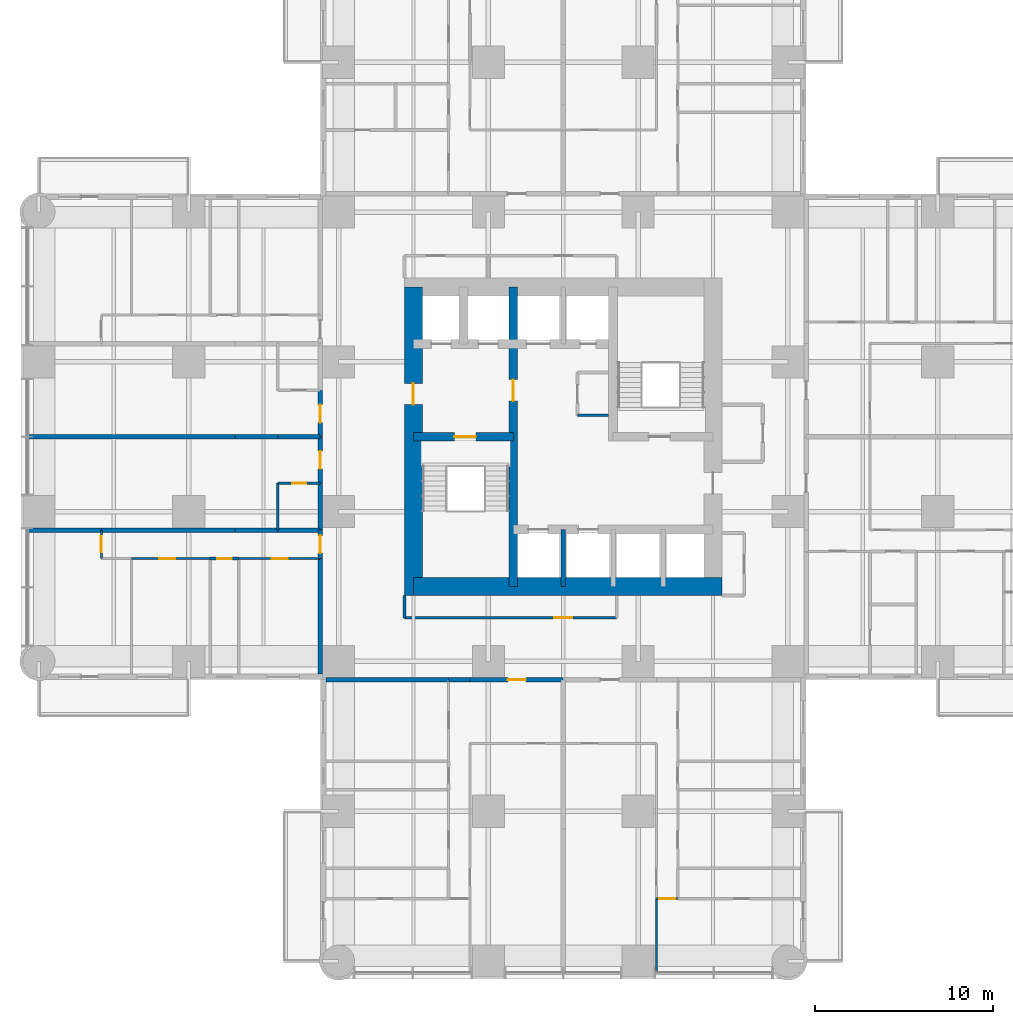
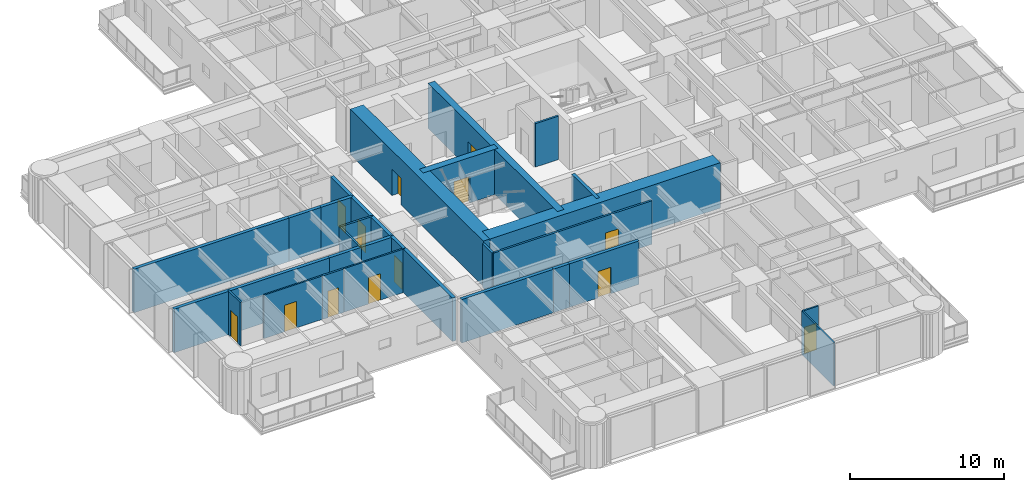
# One storey, part 8 of 17: 31 walls, 14 doors, 14 openings.
"""IFC4 building model written with IfcOpenShell, lengths in metres."""

from ifc_helpers import new_model, si_unit, direction, frame, frame_2d, origin, place, context, subcontext, project, spatial, rectangle, extrude, material, layer, layer_set, type_object, element, fill, save


model = new_model("IFC4")

# Units and contexts
model_context = context("Model", 3, precision=1e-05, world=origin(), true_north=direction((0.0, 1.0)))
body_context = subcontext(model_context, "Body", "Model", "MODEL_VIEW")
ifc_project = project(units=[si_unit("LENGTHUNIT", "METRE"), si_unit("AREAUNIT", "SQUARE_METRE"), si_unit("VOLUMEUNIT", "CUBIC_METRE"), si_unit("PLANEANGLEUNIT", "RADIAN"), si_unit("MASSUNIT", "GRAM", prefix="KILO")], contexts=[model_context])

# Site, building, storey
site_placement = place(None, origin())
site = spatial("IfcSite", under=ifc_project, at=site_placement, CompositionType="ELEMENT")
building_placement = place(site_placement, origin())
building = spatial("IfcBuilding", under=site, at=building_placement, Name="Torre Alcanfor", CompositionType="ELEMENT")
storey_placement = place(building_placement, frame((0.0, 0.0, 74.10009765625)))
storey = spatial("IfcBuildingStorey", under=building, at=storey_placement, Name="L18", CompositionType="ELEMENT", Elevation=74.10009765625)

# Wall, opening, door
ifc_material_1 = material(Name="Concrete block masonry, hollow blocks NMX-C-404 9 MPa", Category="masonry")
ifc_layer_1 = layer(ifc_material_1, 0.25)
ifc_layer_set_1 = layer_set([ifc_layer_1], Name="Apartment entrance wall 250 EI 60")
wall_type_1 = type_object("IfcWallType", Name="Apartment entrance wall 250 EI 60", PredefinedType="PARTITIONING", material=ifc_layer_set_1)
wall_1_placement = place(storey_placement, frame((29.39990234375, 15.77490234375, 0.0), z_axis=(0.0, 0.0, 1.0), x_axis=(-1.0, 0.0, 0.0)))
wall_1 = element("IfcWall", 1, at=wall_1_placement, inside=storey, type_object=wall_type_1, Name="Partition L18-CORR / L18-S2-ZAG", PredefinedType="PARTITIONING", context=body_context, shape_type="SweptSolid", body=[
    extrude(rectangle(XDim=5.22900390625, YDim=0.25, at=frame_2d((2.614501953125, 0.0))), origin(), (0.0, 0.0, 1.0), 3.449951171875),
])
opening_1_placement = place(wall_1_placement, frame((2.10009765625, 0.0, 0.0)))
opening_1 = element("IfcOpeningElement", 2, at=opening_1_placement, cuts=wall_1, Name="Opening D-A1", PredefinedType="OPENING", context=body_context, shape_type="SweptSolid", body=[
    extrude(rectangle(XDim=1.0, YDim=2.10009765625, at=frame_2d((0.5, 1.050048828125))), frame((0.0, 0.135009765625, 0.0), z_axis=(0.0, -1.0, 0.0), x_axis=(1.0, 0.0, 0.0)), (0.0, 0.0, 1.0), 0.27001953125),
])
ifc_material_2 = material(Name="Galvanised steel sheet ASTM A653", Category="steel")
door_type_1 = type_object("IfcDoorType", Name="Apartment entrance door FD60 1000x2100", OperationType="SINGLE_SWING_LEFT", PredefinedType="DOOR", material=ifc_material_2)
door_1_placement = place(opening_1_placement, origin())
door_1 = element("IfcDoor", 3, at=door_1_placement, inside=storey, type_object=door_type_1, Name="Apartment entrance L18-S2", OperationType="SINGLE_SWING_LEFT", OverallHeight=2.10009765625, OverallWidth=1.0, PredefinedType="DOOR", context=body_context, shape_type="SweptSolid", body=[
    extrude(rectangle(XDim=1.0, YDim=2.10009765625, at=frame_2d((0.5, 1.050048828125))), frame((0.0, 0.02490234375, 0.0), z_axis=(0.0, -1.0, 0.0), x_axis=(1.0, 0.0, 0.0)), (0.0, 0.0, 1.0), 0.050048828125),
])
fill(opening_1, door_1)

# Walls
wall_2_placement = place(storey_placement, frame((24.1708984375, 15.77490234375, 0.0), z_axis=(0.0, 0.0, 1.0), x_axis=(-1.0, 0.0, 0.0)))
element("IfcWall", 4, at=wall_2_placement, inside=storey, type_object=wall_type_1, Name="Partition L18-CORR / L18-S2-HALL", PredefinedType="PARTITIONING", context=body_context, shape_type="SweptSolid", body=[
    extrude(rectangle(XDim=1.199951171875, YDim=0.25, at=frame_2d((0.60009765625, 0.0))), origin(), (0.0, 0.0, 1.0), 3.449951171875),
])
wall_3_placement = place(storey_placement, frame((22.970947265625, 15.77490234375, 0.0), z_axis=(0.0, 0.0, 1.0), x_axis=(-1.0, 0.0, 0.0)))
element("IfcWall", 5, at=wall_3_placement, inside=storey, type_object=wall_type_1, Name="Partition L18-CORR / L18-S2-BED3", PredefinedType="PARTITIONING", context=body_context, shape_type="SweptSolid", body=[
    extrude(rectangle(XDim=6.870849609375, YDim=0.25, at=frame_2d((3.435546875, 0.0))), origin(), (0.0, 0.0, 1.0), 3.449951171875),
])

# Wall, opening, door
wall_4_placement = place(storey_placement, frame((15.77490234375, 26.800048828125, 0.0), z_axis=(0.0, 0.0, 1.0), x_axis=(0.0, 1.0, 0.0)))
wall_4 = element("IfcWall", 6, at=wall_4_placement, inside=storey, type_object=wall_type_1, Name="Partition L18-CORR / L18-W1A-FOYER", PredefinedType="PARTITIONING", context=body_context, shape_type="SweptSolid", body=[
    extrude(rectangle(XDim=2.599853515625, YDim=0.25, at=frame_2d((1.2998046875, 0.0))), origin(), (0.0, 0.0, 1.0), 3.449951171875),
])
opening_2_placement = place(wall_4_placement, frame((0.800048828125, 0.0, 0.0)))
opening_2 = element("IfcOpeningElement", 7, at=opening_2_placement, cuts=wall_4, Name="Opening D-A1", PredefinedType="OPENING", context=body_context, shape_type="SweptSolid", body=[
    extrude(rectangle(XDim=1.0, YDim=2.10009765625, at=frame_2d((0.5, 1.050048828125))), frame((0.0, 0.135009765625, 0.0), z_axis=(0.0, -1.0, 0.0), x_axis=(1.0, 0.0, 0.0)), (0.0, 0.0, 1.0), 0.27001953125),
])
door_2_placement = place(opening_2_placement, origin())
door_2 = element("IfcDoor", 8, at=door_2_placement, inside=storey, type_object=door_type_1, Name="Apartment entrance L18-W1A", OperationType="SINGLE_SWING_LEFT", OverallHeight=2.10009765625, OverallWidth=1.0, PredefinedType="DOOR", context=body_context, shape_type="SweptSolid", body=[
    extrude(rectangle(XDim=1.0, YDim=2.10009765625, at=frame_2d((0.5, 1.050048828125))), frame((0.0, 0.02490234375, 0.0), z_axis=(0.0, -1.0, 0.0), x_axis=(1.0, 0.0, 0.0)), (0.0, 0.0, 1.0), 0.050048828125),
])
fill(opening_2, door_2)

# Wall
wall_5_placement = place(storey_placement, frame((15.77490234375, 24.1708984375, 0.0), z_axis=(0.0, 0.0, 1.0), x_axis=(0.0, 1.0, 0.0)))
element("IfcWall", 9, at=wall_5_placement, inside=storey, type_object=wall_type_1, Name="Partition L18-CORR / L18-W1A-BATH", PredefinedType="PARTITIONING", context=body_context, shape_type="SweptSolid", body=[
    extrude(rectangle(XDim=2.629150390625, YDim=0.25, at=frame_2d((1.314453125, 0.0))), origin(), (0.0, 0.0, 1.0), 3.449951171875),
])

# Wall, opening, door
wall_6_placement = place(storey_placement, frame((15.77490234375, 22.571044921875, 0.0), z_axis=(0.0, 0.0, 1.0), x_axis=(0.0, 1.0, 0.0)))
wall_6 = element("IfcWall", 10, at=wall_6_placement, inside=storey, type_object=wall_type_1, Name="Partition L18-CORR / L18-W1B-HALL", PredefinedType="PARTITIONING", context=body_context, shape_type="SweptSolid", body=[
    extrude(rectangle(XDim=1.599853515625, YDim=0.25, at=frame_2d((0.7998046875, 0.0))), origin(), (0.0, 0.0, 1.0), 3.449951171875),
])
opening_3_placement = place(wall_6_placement, frame((0.300048828125, 0.0, 0.0)))
opening_3 = element("IfcOpeningElement", 11, at=opening_3_placement, cuts=wall_6, Name="Opening D-A1", PredefinedType="OPENING", context=body_context, shape_type="SweptSolid", body=[
    extrude(rectangle(XDim=1.0, YDim=2.10009765625, at=frame_2d((0.5, 1.050048828125))), frame((0.0, 0.135009765625, 0.0), z_axis=(0.0, -1.0, 0.0), x_axis=(1.0, 0.0, 0.0)), (0.0, 0.0, 1.0), 0.27001953125),
])
door_3_placement = place(opening_3_placement, origin())
door_3 = element("IfcDoor", 12, at=door_3_placement, inside=storey, type_object=door_type_1, Name="Apartment entrance L18-W1B", OperationType="SINGLE_SWING_LEFT", OverallHeight=2.10009765625, OverallWidth=1.0, PredefinedType="DOOR", context=body_context, shape_type="SweptSolid", body=[
    extrude(rectangle(XDim=1.0, YDim=2.10009765625, at=frame_2d((0.5, 1.050048828125))), frame((0.0, 0.02490234375, 0.0), z_axis=(0.0, -1.0, 0.0), x_axis=(1.0, 0.0, 0.0)), (0.0, 0.0, 1.0), 0.050048828125),
])
fill(opening_3, door_3)

# Wall
wall_7_placement = place(storey_placement, frame((15.77490234375, 16.10009765625, 0.0), z_axis=(0.0, 0.0, 1.0), x_axis=(0.0, 1.0, 0.0)))
element("IfcWall", 13, at=wall_7_placement, inside=storey, type_object=wall_type_1, Name="Partition L18-CORR / L18-W1B-MASTER", PredefinedType="PARTITIONING", context=body_context, shape_type="SweptSolid", body=[
    extrude(rectangle(XDim=6.470947265625, YDim=0.25, at=frame_2d((3.2353515625, 0.0))), origin(), (0.0, 0.0, 1.0), 3.449951171875),
])

# Wall, opening, door
wall_8_placement = place(storey_placement, frame((15.77490234375, 29.39990234375, 0.0), z_axis=(0.0, 0.0, 1.0), x_axis=(0.0, 1.0, 0.0)))
wall_8 = element("IfcWall", 14, at=wall_8_placement, inside=storey, type_object=wall_type_1, Name="Partition L18-CORR / L18-W2A-FOYER", PredefinedType="PARTITIONING", context=body_context, shape_type="SweptSolid", body=[
    extrude(rectangle(XDim=2.60009765625, YDim=0.25, at=frame_2d((1.300048828125, 0.0))), origin(), (0.0, 0.0, 1.0), 3.449951171875),
])
opening_4_placement = place(wall_8_placement, frame((0.800048828125, 0.0, 0.0)))
opening_4 = element("IfcOpeningElement", 15, at=opening_4_placement, cuts=wall_8, Name="Opening D-A1", PredefinedType="OPENING", context=body_context, shape_type="SweptSolid", body=[
    extrude(rectangle(XDim=1.0, YDim=2.10009765625, at=frame_2d((0.5, 1.050048828125))), frame((0.0, 0.135009765625, 0.0), z_axis=(0.0, -1.0, 0.0), x_axis=(1.0, 0.0, 0.0)), (0.0, 0.0, 1.0), 0.27001953125),
])
door_4_placement = place(opening_4_placement, origin())
door_4 = element("IfcDoor", 16, at=door_4_placement, inside=storey, type_object=door_type_1, Name="Apartment entrance L18-W2A", OperationType="SINGLE_SWING_LEFT", OverallHeight=2.10009765625, OverallWidth=1.0, PredefinedType="DOOR", context=body_context, shape_type="SweptSolid", body=[
    extrude(rectangle(XDim=1.0, YDim=2.10009765625, at=frame_2d((0.5, 1.050048828125))), frame((0.0, 0.02490234375, 0.0), z_axis=(0.0, -1.0, 0.0), x_axis=(1.0, 0.0, 0.0)), (0.0, 0.0, 1.0), 0.050048828125),
])
fill(opening_4, door_4)

# Wall
ifc_material_3 = material(Name="Gypsum board on steel studs", Category="steel")
ifc_layer_2 = layer(ifc_material_3, 0.1201171875)
ifc_layer_set_2 = layer_set([ifc_layer_2], Name="Apartment partition 120")
wall_type_2 = type_object("IfcWallType", Name="Apartment partition 120", PredefinedType="PARTITIONING", material=ifc_layer_set_2)
wall_9_placement = place(storey_placement, frame((34.62890625, -0.64990234375, 0.0), z_axis=(0.0, 0.0, 1.0), x_axis=(0.0, 1.0, 0.0)))
element("IfcWall", 17, at=wall_9_placement, inside=storey, type_object=wall_type_2, Name="Partition L18-S1-LIVING / L18-S1-MASTER", PredefinedType="PARTITIONING", context=body_context, shape_type="SweptSolid", body=[
    extrude(rectangle(XDim=4.14990234375, YDim=0.1201171875, at=frame_2d((2.074951171875, 0.0))), origin(), (0.0, 0.0, 1.0), 3.449951171875),
])

# Wall, opening, door
wall_10_placement = place(storey_placement, frame((34.62890625, 3.5, 0.0), z_axis=(0.0, 0.0, 1.0), x_axis=(1.0, 0.0, 0.0)))
wall_10 = element("IfcWall", 18, at=wall_10_placement, inside=storey, type_object=wall_type_2, Name="Partition L18-S1-HALL / L18-S1-MASTER", PredefinedType="PARTITIONING", context=body_context, shape_type="SweptSolid", body=[
    extrude(rectangle(XDim=1.2001953125, YDim=0.1201171875, at=frame_2d((0.60009765625, 0.0))), origin(), (0.0, 0.0, 1.0), 3.449951171875),
])
opening_5_placement = place(wall_10_placement, frame((0.15087890625, 0.0, 0.0)))
opening_5 = element("IfcOpeningElement", 19, at=opening_5_placement, cuts=wall_10, Name="Opening D-R1", PredefinedType="OPENING", context=body_context, shape_type="SweptSolid", body=[
    extrude(rectangle(XDim=0.89990234375, YDim=2.10009765625, at=frame_2d((0.449951171875, 1.050048828125))), frame((0.0, 0.070068359375, 0.0), z_axis=(0.0, -1.0, 0.0), x_axis=(1.0, 0.0, 0.0)), (0.0, 0.0, 1.0), 0.14013671875),
])
ifc_material_4 = material(Name="Timber", Category="wood")
door_type_2 = type_object("IfcDoorType", Name="Internal door 900x2100", OperationType="SINGLE_SWING_LEFT", PredefinedType="DOOR", material=ifc_material_4)
door_5_placement = place(opening_5_placement, frame((0.89990234375, 0.0, 0.0), z_axis=(0.0, 0.0, 1.0), x_axis=(-1.0, 0.0, 0.0)))
door_5 = element("IfcDoor", 20, at=door_5_placement, inside=storey, type_object=door_type_2, Name="Door L18-S1 master", OperationType="SINGLE_SWING_RIGHT", OverallHeight=2.10009765625, OverallWidth=0.89990234375, PredefinedType="DOOR", context=body_context, shape_type="SweptSolid", body=[
    extrude(rectangle(XDim=0.89990234375, YDim=2.10009765625, at=frame_2d((0.449951171875, 1.050048828125))), frame((0.0, 0.025146484375, 0.0), z_axis=(0.0, -1.0, 0.0), x_axis=(1.0, 0.0, 0.0)), (0.0, 0.0, 1.0), 0.050048828125),
])
fill(opening_5, door_5)

wall_11_placement = place(storey_placement, frame((11.199951171875, 22.571044921875, 0.0), z_axis=(0.0, 0.0, 1.0), x_axis=(1.0, 0.0, 0.0)))
wall_11 = element("IfcWall", 21, at=wall_11_placement, inside=storey, type_object=wall_type_2, Name="Partition L18-W1B-HALL / L18-W1B-MASTER", PredefinedType="PARTITIONING", context=body_context, shape_type="SweptSolid", body=[
    extrude(rectangle(XDim=4.574951171875, YDim=0.1201171875, at=frame_2d((2.28759765625, 0.0))), origin(), (0.0, 0.0, 1.0), 3.449951171875),
])
opening_6_placement = place(wall_11_placement, frame((1.85009765625, 0.0, 0.0)))
opening_6 = element("IfcOpeningElement", 22, at=opening_6_placement, cuts=wall_11, Name="Opening D-R1", PredefinedType="OPENING", context=body_context, shape_type="SweptSolid", body=[
    extrude(rectangle(XDim=0.89990234375, YDim=2.10009765625, at=frame_2d((0.449951171875, 1.050048828125))), frame((0.0, 0.070068359375, 0.0), z_axis=(0.0, -1.0, 0.0), x_axis=(1.0, 0.0, 0.0)), (0.0, 0.0, 1.0), 0.14013671875),
])
door_6_placement = place(opening_6_placement, frame((0.89990234375, 0.0, 0.0), z_axis=(0.0, 0.0, 1.0), x_axis=(-1.0, 0.0, 0.0)))
door_6 = element("IfcDoor", 23, at=door_6_placement, inside=storey, type_object=door_type_2, Name="Door L18-W1B master", OperationType="SINGLE_SWING_LEFT", OverallHeight=2.10009765625, OverallWidth=0.89990234375, PredefinedType="DOOR", context=body_context, shape_type="SweptSolid", body=[
    extrude(rectangle(XDim=0.89990234375, YDim=2.10009765625, at=frame_2d((0.449951171875, 1.050048828125))), frame((0.0, 0.025146484375, 0.0), z_axis=(0.0, -1.0, 0.0), x_axis=(1.0, 0.0, 0.0)), (0.0, 0.0, 1.0), 0.050048828125),
])
fill(opening_6, door_6)

wall_12_placement = place(storey_placement, frame((5.199951171875, 22.571044921875, 0.0), z_axis=(0.0, 0.0, 1.0), x_axis=(1.0, 0.0, 0.0)))
wall_12 = element("IfcWall", 24, at=wall_12_placement, inside=storey, type_object=wall_type_2, Name="Partition L18-W1B-HALL / L18-W1B-STUDY", PredefinedType="PARTITIONING", context=body_context, shape_type="SweptSolid", body=[
    extrude(rectangle(XDim=4.400146484375, YDim=0.1201171875, at=frame_2d((2.2001953125, 0.0))), origin(), (0.0, 0.0, 1.0), 3.449951171875),
])
opening_7_placement = place(wall_12_placement, frame((1.550048828125, 0.0, 0.0)))
opening_7 = element("IfcOpeningElement", 25, at=opening_7_placement, cuts=wall_12, Name="Opening D-R1", PredefinedType="OPENING", context=body_context, shape_type="SweptSolid", body=[
    extrude(rectangle(XDim=0.89990234375, YDim=2.10009765625, at=frame_2d((0.449951171875, 1.050048828125))), frame((0.0, 0.070068359375, 0.0), z_axis=(0.0, -1.0, 0.0), x_axis=(1.0, 0.0, 0.0)), (0.0, 0.0, 1.0), 0.14013671875),
])
door_7_placement = place(opening_7_placement, frame((0.89990234375, 0.0, 0.0), z_axis=(0.0, 0.0, 1.0), x_axis=(-1.0, 0.0, 0.0)))
door_7 = element("IfcDoor", 26, at=door_7_placement, inside=storey, type_object=door_type_2, Name="Door L18-W1B study", OperationType="SINGLE_SWING_RIGHT", OverallHeight=2.10009765625, OverallWidth=0.89990234375, PredefinedType="DOOR", context=body_context, shape_type="SweptSolid", body=[
    extrude(rectangle(XDim=0.89990234375, YDim=2.10009765625, at=frame_2d((0.449951171875, 1.050048828125))), frame((0.0, 0.025146484375, 0.0), z_axis=(0.0, -1.0, 0.0), x_axis=(1.0, 0.0, 0.0)), (0.0, 0.0, 1.0), 0.050048828125),
])
fill(opening_7, door_7)

wall_13_placement = place(storey_placement, frame((3.5, 24.1708984375, 0.0), z_axis=(0.0, 0.0, 1.0), x_axis=(0.0, -1.0, 0.0)))
wall_13 = element("IfcWall", 27, at=wall_13_placement, inside=storey, type_object=wall_type_2, Name="Partition L18-W1B-HALL / L18-W1B-LIVING", PredefinedType="PARTITIONING", context=body_context, shape_type="SweptSolid", body=[
    extrude(rectangle(XDim=1.599853515625, YDim=0.1201171875, at=frame_2d((0.7998046875, 0.0))), origin(), (0.0, 0.0, 1.0), 3.449951171875),
])
opening_8_placement = place(wall_13_placement, frame((0.35009765625, 0.0, 0.0)))
opening_8 = element("IfcOpeningElement", 28, at=opening_8_placement, cuts=wall_13, Name="Opening D-R1", PredefinedType="OPENING", context=body_context, shape_type="SweptSolid", body=[
    extrude(rectangle(XDim=0.89990234375, YDim=2.10009765625, at=frame_2d((0.449951171875, 1.050048828125))), frame((0.0, 0.070068359375, 0.0), z_axis=(0.0, -1.0, 0.0), x_axis=(1.0, 0.0, 0.0)), (0.0, 0.0, 1.0), 0.14013671875),
])
door_8_placement = place(opening_8_placement, frame((0.89990234375, 0.0, 0.0), z_axis=(0.0, 0.0, 1.0), x_axis=(-1.0, 0.0, 0.0)))
door_8 = element("IfcDoor", 29, at=door_8_placement, inside=storey, type_object=door_type_2, Name="Door L18-W1B living", OperationType="SINGLE_SWING_RIGHT", OverallHeight=2.10009765625, OverallWidth=0.89990234375, PredefinedType="DOOR", context=body_context, shape_type="SweptSolid", body=[
    extrude(rectangle(XDim=0.89990234375, YDim=2.10009765625, at=frame_2d((0.449951171875, 1.050048828125))), frame((0.0, 0.025146484375, 0.0), z_axis=(0.0, -1.0, 0.0), x_axis=(1.0, 0.0, 0.0)), (0.0, 0.0, 1.0), 0.050048828125),
])
fill(opening_8, door_8)

ifc_material_5 = material(Name="Concrete f'c 70 MPa", Category="concrete")
ifc_layer_3 = layer(ifc_material_5, 0.5)
ifc_layer_set_3 = layer_set([ifc_layer_3], Name="Core inner wall 500 f'c70")
wall_type_3 = type_object("IfcWallType", Name="Core inner wall 500 f'c70", PredefinedType="SHEAR", material=ifc_layer_set_3)
wall_14_placement = place(storey_placement, frame((26.60009765625, 21.0, 0.0), z_axis=(0.0, 0.0, 1.0), x_axis=(0.0, 1.0, 0.0)))
wall_14 = element("IfcWall", 30, at=wall_14_placement, inside=storey, type_object=wall_type_3, Name="Core wall X266 L18", PredefinedType="SHEAR", context=body_context, shape_type="SweptSolid", body=[
    extrude(rectangle(XDim=16.800048828125, YDim=0.5, at=frame_2d((8.39990234375, 0.0))), origin(), (0.0, 0.0, 1.0), 3.599853515625),
])
opening_9_placement = place(wall_14_placement, frame((10.39990234375, 0.0, 0.0)))
opening_9 = element("IfcOpeningElement", 31, at=opening_9_placement, cuts=wall_14, Name="Opening D-L1", PredefinedType="OPENING", context=body_context, shape_type="SweptSolid", body=[
    extrude(rectangle(XDim=1.199951171875, YDim=2.10009765625, at=frame_2d((0.60009765625, 1.050048828125))), frame((0.0, 0.260009765625, 0.0), z_axis=(0.0, -1.0, 0.0), x_axis=(1.0, 0.0, 0.0)), (0.0, 0.0, 1.0), 0.52001953125),
])
ifc_material_6 = material(Name="Galvanised steel sheet ASTM A653", Category="steel")
door_type_3 = type_object("IfcDoorType", Name="Lobby door FD120 1200x2100", OperationType="SINGLE_SWING_LEFT", PredefinedType="DOOR", material=ifc_material_6)
door_9_placement = place(opening_9_placement, origin())
door_9 = element("IfcDoor", 32, at=door_9_placement, inside=storey, type_object=door_type_3, Name="Lift lobby door L18", OperationType="SINGLE_SWING_LEFT", OverallHeight=2.10009765625, OverallWidth=1.199951171875, PredefinedType="DOOR", context=body_context, shape_type="SweptSolid", body=[
    extrude(rectangle(XDim=1.199951171875, YDim=2.10009765625, at=frame_2d((0.60009765625, 1.050048828125))), frame((0.0, 0.02490234375, 0.0), z_axis=(0.0, -1.0, 0.0), x_axis=(1.0, 0.0, 0.0)), (0.0, 0.0, 1.0), 0.050048828125),
])
fill(opening_9, door_9)

wall_15_placement = place(storey_placement, frame((21.0, 29.39990234375, 0.0), z_axis=(0.0, 0.0, 1.0), x_axis=(1.0, 0.0, 0.0)))
wall_15 = element("IfcWall", 33, at=wall_15_placement, inside=storey, type_object=wall_type_3, Name="Core wall Y294W L18", PredefinedType="SHEAR", context=body_context, shape_type="SweptSolid", body=[
    extrude(rectangle(XDim=5.60009765625, YDim=0.5, at=frame_2d((2.800048828125, 0.0))), origin(), (0.0, 0.0, 1.0), 3.599853515625),
])
opening_10_placement = place(wall_15_placement, frame((2.300048828125, 0.0, 0.0)))
opening_10 = element("IfcOpeningElement", 34, at=opening_10_placement, cuts=wall_15, Name="Opening D-S2", PredefinedType="OPENING", context=body_context, shape_type="SweptSolid", body=[
    extrude(rectangle(XDim=1.199951171875, YDim=2.10009765625, at=frame_2d((0.60009765625, 1.050048828125))), frame((0.0, 0.260009765625, 0.0), z_axis=(0.0, -1.0, 0.0), x_axis=(1.0, 0.0, 0.0)), (0.0, 0.0, 1.0), 0.52001953125),
])
ifc_material_7 = material(Name="Galvanised steel sheet ASTM A653", Category="steel")
door_type_4 = type_object("IfcDoorType", Name="Stair enclosure door FD120 1200x2100", OperationType="SINGLE_SWING_LEFT", PredefinedType="DOOR", material=ifc_material_7)
door_10_placement = place(opening_10_placement, frame((1.199951171875, 0.0, 0.0), z_axis=(0.0, 0.0, 1.0), x_axis=(-1.0, 0.0, 0.0)))
door_10 = element("IfcDoor", 35, at=door_10_placement, inside=storey, type_object=door_type_4, Name="Stair S1 door L18", OperationType="SINGLE_SWING_LEFT", OverallHeight=2.10009765625, OverallWidth=1.199951171875, PredefinedType="DOOR", context=body_context, shape_type="SweptSolid", body=[
    extrude(rectangle(XDim=1.199951171875, YDim=2.10009765625, at=frame_2d((0.599853515625, 1.050048828125))), frame((0.0, 0.025146484375, 0.0), z_axis=(0.0, -1.0, 0.0), x_axis=(1.0, 0.0, 0.0)), (0.0, 0.0, 1.0), 0.050048828125),
])
fill(opening_10, door_10)

# Walls
ifc_material_8 = material(Name="Concrete f'c 70 MPa", Category="concrete")
ifc_layer_4 = layer(ifc_material_8, 0.25)
ifc_layer_set_4 = layer_set([ifc_layer_4], Name="Core shaft wall 250 f'c70")
wall_type_4 = type_object("IfcWallType", Name="Core shaft wall 250 f'c70", PredefinedType="SHEAR", material=ifc_layer_set_4)
wall_16_placement = place(storey_placement, frame((29.39990234375, 21.0, 0.0), z_axis=(0.0, 0.0, 1.0), x_axis=(0.0, 1.0, 0.0)))
element("IfcWall", 36, at=wall_16_placement, inside=storey, type_object=wall_type_4, Name="Core wall X294S L18", PredefinedType="SHEAR", context=body_context, shape_type="SweptSolid", body=[
    extrude(rectangle(XDim=3.199951171875, YDim=0.25, at=frame_2d((1.60009765625, 0.0))), origin(), (0.0, 0.0, 1.0), 3.599853515625),
])
ifc_material_9 = material(Name="Concrete f'c 70 MPa", Category="concrete")
ifc_layer_5 = layer(ifc_material_9, 1.0)
ifc_layer_set_5 = layer_set([ifc_layer_5], Name="Core wall 1000 f'c70")
wall_type_5 = type_object("IfcWallType", Name="Core wall 1000 f'c70", PredefinedType="SHEAR", material=ifc_layer_set_5)
wall_17_placement = place(storey_placement, frame((21.0, 21.0, 0.0), z_axis=(0.0, 0.0, 1.0), x_axis=(1.0, 0.0, 0.0)))
element("IfcWall", 37, at=wall_17_placement, inside=storey, type_object=wall_type_5, Name="Core wall OUT-S L18", PredefinedType="SHEAR", context=body_context, shape_type="SweptSolid", body=[
    extrude(rectangle(XDim=17.300048828125, YDim=1.0, at=frame_2d((8.64990234375, 0.0))), origin(), (0.0, 0.0, 1.0), 3.599853515625),
])

# Wall, opening, door
wall_18_placement = place(storey_placement, frame((21.0, 37.800048828125, 0.0), z_axis=(0.0, 0.0, 1.0), x_axis=(0.0, -1.0, 0.0)))
wall_18 = element("IfcWall", 38, at=wall_18_placement, inside=storey, type_object=wall_type_5, Name="Core wall OUT-W L18", PredefinedType="SHEAR", context=body_context, shape_type="SweptSolid", body=[
    extrude(rectangle(XDim=17.300048828125, YDim=1.0, at=frame_2d((8.64990234375, 0.0))), origin(), (0.0, 0.0, 1.0), 3.599853515625),
])
opening_11_placement = place(wall_18_placement, frame((5.39990234375, 0.0, 0.0)))
opening_11 = element("IfcOpeningElement", 39, at=opening_11_placement, cuts=wall_18, Name="Opening D-L1", PredefinedType="OPENING", context=body_context, shape_type="SweptSolid", body=[
    extrude(rectangle(XDim=1.199951171875, YDim=2.10009765625, at=frame_2d((0.60009765625, 1.050048828125))), frame((0.0, 0.510009765625, 0.0), z_axis=(0.0, -1.0, 0.0), x_axis=(1.0, 0.0, 0.0)), (0.0, 0.0, 1.0), 1.02001953125),
])
door_11_placement = place(opening_11_placement, origin())
door_11 = element("IfcDoor", 40, at=door_11_placement, inside=storey, type_object=door_type_3, Name="Firefighting lobby door L18", OperationType="SINGLE_SWING_LEFT", OverallHeight=2.10009765625, OverallWidth=1.199951171875, PredefinedType="DOOR", context=body_context, shape_type="SweptSolid", body=[
    extrude(rectangle(XDim=1.199951171875, YDim=2.10009765625, at=frame_2d((0.60009765625, 1.050048828125))), frame((0.0, 0.02490234375, 0.0), z_axis=(0.0, -1.0, 0.0), x_axis=(1.0, 0.0, 0.0)), (0.0, 0.0, 1.0), 0.050048828125),
])
fill(opening_11, door_11)

# Walls
ifc_material_10 = material(Name="Concrete block masonry, hollow blocks NMX-C-404 9 MPa", Category="masonry")
ifc_layer_6 = layer(ifc_material_10, 0.25)
ifc_layer_set_6 = layer_set([ifc_layer_6], Name="Party wall 250 EI 60")
wall_type_6 = type_object("IfcWallType", Name="Party wall 250 EI 60", PredefinedType="PARTITIONING", material=ifc_layer_set_6)
for number, where, z_axis, x_axis, name in (
    (41, (15.77490234375, 29.39990234375, 0.0), (0.0, 0.0, 1.0), (-1.0, 0.0, 0.0), "Partition L18-W1A-FOYER / L18-W2A-FOYER"),
    (42, (13.39990234375, 24.1708984375, 0.0), (0.0, 0.0, 1.0), (1.0, 0.0, 0.0), "Partition L18-W1A-BATH / L18-W1B-HALL"),
):
    element("IfcWall", number, at=place(storey_placement, frame(where, z_axis=z_axis, x_axis=x_axis)), inside=storey, type_object=wall_type_6, Name=name, PredefinedType="PARTITIONING", context=body_context, shape_type="SweptSolid", body=[
        extrude(rectangle(XDim=2.375, YDim=0.25, at=frame_2d((1.1875, 0.0))), origin(), (0.0, 0.0, 1.0), 3.449951171875),
    ])
for number, where, z_axis, x_axis, name in (
    (43, (11.0, 24.1708984375, 0.0), (0.0, 0.0, 1.0), (1.0, 0.0, 0.0), "Partition L18-W1A-KITCHEN / L18-W1B-HALL"),
    (44, (13.39990234375, 29.39990234375, 0.0), (0.0, 0.0, 1.0), (-1.0, 0.0, 0.0), "Partition L18-W1A-KITCHEN / L18-W2A-KITCHEN"),
):
    element("IfcWall", number, at=place(storey_placement, frame(where, z_axis=z_axis, x_axis=x_axis)), inside=storey, type_object=wall_type_6, Name=name, PredefinedType="PARTITIONING", context=body_context, shape_type="SweptSolid", body=[
        extrude(rectangle(XDim=2.39990234375, YDim=0.25, at=frame_2d((1.199951171875, 0.0))), origin(), (0.0, 0.0, 1.0), 3.449951171875),
    ])
wall_19_placement = place(storey_placement, frame((3.5, 24.1708984375, 0.0), z_axis=(0.0, 0.0, 1.0), x_axis=(1.0, 0.0, 0.0)))
element("IfcWall", 45, at=wall_19_placement, inside=storey, type_object=wall_type_6, Name="Partition L18-W1A-STUDIO / L18-W1B-HALL", PredefinedType="PARTITIONING", context=body_context, shape_type="SweptSolid", body=[
    extrude(rectangle(XDim=7.5, YDim=0.25, at=frame_2d((3.75, 0.0))), origin(), (0.0, 0.0, 1.0), 3.449951171875),
])
wall_20_placement = place(storey_placement, frame((-0.64990234375, 24.1708984375, 0.0), z_axis=(0.0, 0.0, 1.0), x_axis=(1.0, 0.0, 0.0)))
element("IfcWall", 46, at=wall_20_placement, inside=storey, type_object=wall_type_6, Name="Partition L18-W1A-STUDIO / L18-W1B-LIVING", PredefinedType="PARTITIONING", context=body_context, shape_type="SweptSolid", body=[
    extrude(rectangle(XDim=4.14990234375, YDim=0.25, at=frame_2d((2.074951171875, 0.0))), origin(), (0.0, 0.0, 1.0), 3.449951171875),
])
wall_21_placement = place(storey_placement, frame((11.0, 29.39990234375, 0.0), z_axis=(0.0, 0.0, 1.0), x_axis=(-1.0, 0.0, 0.0)))
element("IfcWall", 47, at=wall_21_placement, inside=storey, type_object=wall_type_6, Name="Partition L18-W1A-STUDIO / L18-W2A-STUDIO", PredefinedType="PARTITIONING", context=body_context, shape_type="SweptSolid", body=[
    extrude(rectangle(XDim=11.64990234375, YDim=0.25, at=frame_2d((5.824951171875, 0.0))), origin(), (0.0, 0.0, 1.0), 3.449951171875),
])
ifc_material_11 = material(Name="Concrete block masonry, hollow blocks NMX-C-404 9 MPa", Category="masonry")
ifc_layer_7 = layer(ifc_material_11, 0.14990234375)
ifc_layer_set_7 = layer_set([ifc_layer_7], Name="Residents' room partition 150")
wall_type_7 = type_object("IfcWallType", Name="Residents' room partition 150", PredefinedType="PARTITIONING", material=ifc_layer_set_7)
wall_22_placement = place(storey_placement, frame((20.5, 20.5, 0.0), z_axis=(0.0, 0.0, 1.0), x_axis=(0.0, -1.0, 0.0)))
element("IfcWall", 48, at=wall_22_placement, inside=storey, type_object=wall_type_7, Name="Partition L18-CORR / L18-G05", PredefinedType="PARTITIONING", context=body_context, shape_type="SweptSolid", body=[
    extrude(rectangle(XDim=1.25, YDim=0.14990234375, at=frame_2d((0.625, 0.0))), origin(), (0.0, 0.0, 1.0), 3.449951171875),
])

# Wall, opening, door
wall_23_placement = place(storey_placement, frame((20.5, 19.25, 0.0), z_axis=(0.0, 0.0, 1.0), x_axis=(1.0, 0.0, 0.0)))
wall_23 = element("IfcWall", 49, at=wall_23_placement, inside=storey, type_object=wall_type_7, Name="Partition L18-CORR / L18-G05", PredefinedType="PARTITIONING", context=body_context, shape_type="SweptSolid", body=[
    extrude(rectangle(XDim=11.89990234375, YDim=0.14990234375, at=frame_2d((5.949951171875, 0.0))), origin(), (0.0, 0.0, 1.0), 3.449951171875),
])
opening_12_placement = place(wall_23_placement, frame((8.39990234375, 0.0, 0.0)))
opening_12 = element("IfcOpeningElement", 50, at=opening_12_placement, cuts=wall_23, Name="Opening D-M1", PredefinedType="OPENING", context=body_context, shape_type="SweptSolid", body=[
    extrude(rectangle(XDim=1.0, YDim=2.10009765625, at=frame_2d((0.5, 1.050048828125))), frame((0.0, 0.0849609375, 0.0), z_axis=(0.0, -1.0, 0.0), x_axis=(1.0, 0.0, 0.0)), (0.0, 0.0, 1.0), 0.169921875),
])
ifc_material_12 = material(Name="Timber", Category="wood")
door_type_5 = type_object("IfcDoorType", Name="Residents' room door 1000x2100", OperationType="SINGLE_SWING_LEFT", PredefinedType="DOOR", material=ifc_material_12)
door_12_placement = place(opening_12_placement, origin())
door_12 = element("IfcDoor", 51, at=door_12_placement, inside=storey, type_object=door_type_5, Name="Door L18-G05 residents' storage lockers", OperationType="SINGLE_SWING_RIGHT", OverallHeight=2.10009765625, OverallWidth=1.0, PredefinedType="DOOR", context=body_context, shape_type="SweptSolid", body=[
    extrude(rectangle(XDim=1.0, YDim=2.10009765625, at=frame_2d((0.5, 1.050048828125))), frame((0.0, 0.02490234375, 0.0), z_axis=(0.0, -1.0, 0.0), x_axis=(1.0, 0.0, 0.0)), (0.0, 0.0, 1.0), 0.050048828125),
])
fill(opening_12, door_12)

# Wall
wall_24_placement = place(storey_placement, frame((31.949951171875, 30.60009765625, 0.0), z_axis=(0.0, 0.0, 1.0), x_axis=(-1.0, 0.0, 0.0)))
element("IfcWall", 52, at=wall_24_placement, inside=storey, type_object=wall_type_7, Name="Partition L18-LL / L18-CR1", PredefinedType="PARTITIONING", context=body_context, shape_type="SweptSolid", body=[
    extrude(rectangle(XDim=1.75, YDim=0.14990234375, at=frame_2d((0.875, 0.0))), origin(), (0.0, 0.0, 1.0), 3.449951171875),
])

# Wall, opening, door
ifc_material_13 = material(Name="Cement board on steel studs", Category="steel")
ifc_layer_8 = layer(ifc_material_13, 0.14990234375)
ifc_layer_set_8 = layer_set([ifc_layer_8], Name="Wet area partition 150")
wall_type_8 = type_object("IfcWallType", Name="Wet area partition 150", PredefinedType="PARTITIONING", material=ifc_layer_set_8)
wall_25_placement = place(storey_placement, frame((13.39990234375, 26.800048828125, 0.0), z_axis=(0.0, 0.0, 1.0), x_axis=(1.0, 0.0, 0.0)))
wall_25 = element("IfcWall", 53, at=wall_25_placement, inside=storey, type_object=wall_type_8, Name="Partition L18-W1A-FOYER / L18-W1A-BATH", PredefinedType="PARTITIONING", context=body_context, shape_type="SweptSolid", body=[
    extrude(rectangle(XDim=2.375, YDim=0.14990234375, at=frame_2d((1.1875, 0.0))), origin(), (0.0, 0.0, 1.0), 3.449951171875),
])
opening_13_placement = place(wall_25_placement, frame((0.800048828125, 0.0, 0.0)))
opening_13 = element("IfcOpeningElement", 54, at=opening_13_placement, cuts=wall_25, Name="Opening D-R2", PredefinedType="OPENING", context=body_context, shape_type="SweptSolid", body=[
    extrude(rectangle(XDim=0.800048828125, YDim=2.10009765625, at=frame_2d((0.39990234375, 1.050048828125))), frame((0.0, 0.0849609375, 0.0), z_axis=(0.0, -1.0, 0.0), x_axis=(1.0, 0.0, 0.0)), (0.0, 0.0, 1.0), 0.169921875),
])
ifc_material_14 = material(Name="Timber", Category="wood")
door_type_6 = type_object("IfcDoorType", Name="Bathroom door 800x2100", OperationType="SINGLE_SWING_LEFT", PredefinedType="DOOR", material=ifc_material_14)
door_13_placement = place(opening_13_placement, frame((0.800048828125, 0.0, 0.0), z_axis=(0.0, 0.0, 1.0), x_axis=(-1.0, 0.0, 0.0)))
door_13 = element("IfcDoor", 55, at=door_13_placement, inside=storey, type_object=door_type_6, Name="Door L18-W1A bath", OperationType="SINGLE_SWING_LEFT", OverallHeight=2.10009765625, OverallWidth=0.800048828125, PredefinedType="DOOR", context=body_context, shape_type="SweptSolid", body=[
    extrude(rectangle(XDim=0.800048828125, YDim=2.10009765625, at=frame_2d((0.400146484375, 1.050048828125))), frame((0.0, 0.025146484375, 0.0), z_axis=(0.0, -1.0, 0.0), x_axis=(1.0, 0.0, 0.0)), (0.0, 0.0, 1.0), 0.050048828125),
])
fill(opening_13, door_13)

# Wall
wall_26_placement = place(storey_placement, frame((13.39990234375, 26.800048828125, 0.0), z_axis=(0.0, 0.0, 1.0), x_axis=(0.0, -1.0, 0.0)))
element("IfcWall", 56, at=wall_26_placement, inside=storey, type_object=wall_type_8, Name="Partition L18-W1A-BATH / L18-W1A-KITCHEN", PredefinedType="PARTITIONING", context=body_context, shape_type="SweptSolid", body=[
    extrude(rectangle(XDim=2.629150390625, YDim=0.14990234375, at=frame_2d((1.314453125, 0.0))), origin(), (0.0, 0.0, 1.0), 3.449951171875),
])

# Wall, opening, door
wall_27_placement = place(storey_placement, frame((9.60009765625, 22.571044921875, 0.0), z_axis=(0.0, 0.0, 1.0), x_axis=(1.0, 0.0, 0.0)))
wall_27 = element("IfcWall", 57, at=wall_27_placement, inside=storey, type_object=wall_type_8, Name="Partition L18-W1B-HALL / L18-W1B-BATH", PredefinedType="PARTITIONING", context=body_context, shape_type="SweptSolid", body=[
    extrude(rectangle(XDim=1.599853515625, YDim=0.14990234375, at=frame_2d((0.7998046875, 0.0))), origin(), (0.0, 0.0, 1.0), 3.449951171875),
])
opening_14_placement = place(wall_27_placement, frame((0.39990234375, 0.0, 0.0)))
opening_14 = element("IfcOpeningElement", 58, at=opening_14_placement, cuts=wall_27, Name="Opening D-R2", PredefinedType="OPENING", context=body_context, shape_type="SweptSolid", body=[
    extrude(rectangle(XDim=0.800048828125, YDim=2.10009765625, at=frame_2d((0.39990234375, 1.050048828125))), frame((0.0, 0.0849609375, 0.0), z_axis=(0.0, -1.0, 0.0), x_axis=(1.0, 0.0, 0.0)), (0.0, 0.0, 1.0), 0.169921875),
])
door_14_placement = place(opening_14_placement, frame((0.800048828125, 0.0, 0.0), z_axis=(0.0, 0.0, 1.0), x_axis=(-1.0, 0.0, 0.0)))
door_14 = element("IfcDoor", 59, at=door_14_placement, inside=storey, type_object=door_type_6, Name="Door L18-W1B bath", OperationType="SINGLE_SWING_RIGHT", OverallHeight=2.10009765625, OverallWidth=0.800048828125, PredefinedType="DOOR", context=body_context, shape_type="SweptSolid", body=[
    extrude(rectangle(XDim=0.800048828125, YDim=2.10009765625, at=frame_2d((0.400146484375, 1.050048828125))), frame((0.0, 0.025146484375, 0.0), z_axis=(0.0, -1.0, 0.0), x_axis=(1.0, 0.0, 0.0)), (0.0, 0.0, 1.0), 0.050048828125),
])
fill(opening_14, door_14)

save(model, "model.ifc")
